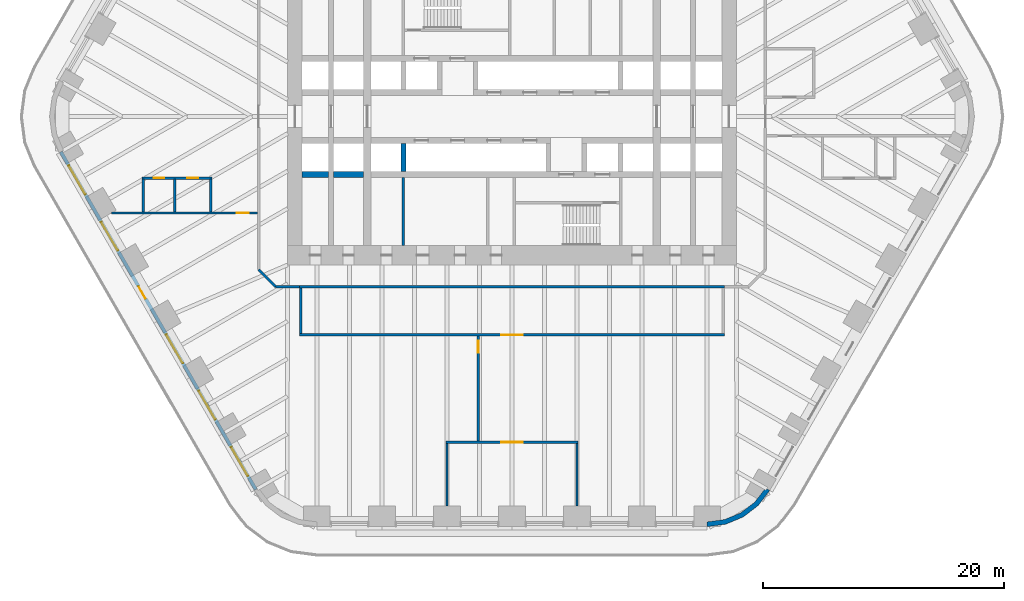
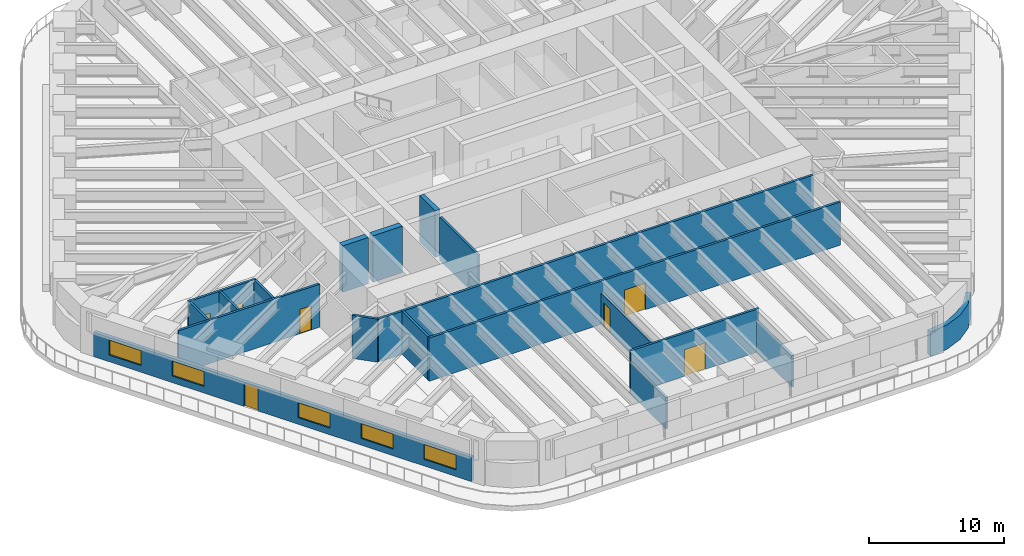
# One storey, part 9 of 16: 20 walls, 7 doors, 5 windows, 12 openings.
"""IFC4 building model written with IfcOpenShell, lengths in metres."""

from ifc_helpers import new_model, si_unit, direction, frame, frame_2d, origin, place, context, subcontext, project, spatial, polyline, rectangle, outline, extrude, material, layer, layer_set, type_object, element, fill, save


model = new_model("IFC4")

# Units and contexts
model_context = context("Model", 3, precision=1e-05, world=origin(), true_north=direction((0.0, 1.0)))
body_context = subcontext(model_context, "Body", "Model", "MODEL_VIEW")
ifc_project = project(units=[si_unit("LENGTHUNIT", "METRE"), si_unit("AREAUNIT", "SQUARE_METRE"), si_unit("VOLUMEUNIT", "CUBIC_METRE"), si_unit("PLANEANGLEUNIT", "RADIAN"), si_unit("MASSUNIT", "GRAM", prefix="KILO")], contexts=[model_context])

# Site, building, storey
site_placement = place(None, origin())
site = spatial("IfcSite", under=ifc_project, at=site_placement, CompositionType="ELEMENT")
building_placement = place(site_placement, origin())
building = spatial("IfcBuilding", under=site, at=building_placement, Name="Tarfa Lantern Tower", CompositionType="ELEMENT")
storey_placement = place(building_placement, frame((0.0, 0.0, 103.300048828125)))
storey = spatial("IfcBuildingStorey", under=building, at=storey_placement, Name="L23", CompositionType="ELEMENT", Elevation=103.300048828125)

# Wall, openings, door, windows
ifc_material_1 = material(Name="Limestone cladding on blockwork", Category="masonry")
ifc_layer_1 = layer(ifc_material_1, 0.300048828125)
ifc_layer_set_1 = layer_set([ifc_layer_1], Name="EW1 STONE-CLAD WALL 300")
wall_type_1 = type_object("IfcWallType", Name="EW1 STONE-CLAD WALL 300", PredefinedType="SOLIDWALL", material=ifc_layer_set_1)
wall_1_placement = place(storey_placement, frame((-37.39794921875, -2.925048828125, 0.0), z_axis=(0.0, 0.0, 1.0), x_axis=(0.499999163675, -0.866025886636, 0.0)))
wall_1 = element("IfcWall", 1, at=wall_1_placement, inside=storey, type_object=wall_type_1, Name="Stone wall SW", PredefinedType="SOLIDWALL", context=body_context, shape_type="SweptSolid", body=[
    extrude(rectangle(XDim=32.33154296875, YDim=0.300048828125, at=frame_2d((16.165771484375, 0.0))), origin(), (0.0, 0.0, 1.0), 2.199951171875),
])
opening_1_placement = place(wall_1_placement, frame((1.3193359375, 0.0, 0.60009765625)))
opening_1 = element("IfcOpeningElement", 2, at=opening_1_placement, cuts=wall_1, Name="Opening W3", PredefinedType="OPENING", context=body_context, shape_type="SweptSolid", body=[
    extrude(rectangle(XDim=2.75, YDim=1.35009765625, at=frame_2d((1.375, 0.675048828125))), frame((0.0, 0.159912109375, 0.0), z_axis=(0.0, -1.0, 0.0), x_axis=(1.0, 0.0, 0.0)), (0.0, 0.0, 1.0), 0.320068359375),
])
opening_2_placement = place(wall_1_placement, frame((6.7080078125, 0.0, 0.60009765625)))
opening_2 = element("IfcOpeningElement", 3, at=opening_2_placement, cuts=wall_1, Name="Opening W3", PredefinedType="OPENING", context=body_context, shape_type="SweptSolid", body=[
    extrude(rectangle(XDim=2.75, YDim=1.35009765625, at=frame_2d((1.375, 0.675048828125))), frame((0.0, 0.159912109375, 0.0), z_axis=(0.0, -1.0, 0.0), x_axis=(1.0, 0.0, 0.0)), (0.0, 0.0, 1.0), 0.320068359375),
])
opening_3_placement = place(wall_1_placement, frame((12.87158203125, 0.0, 0.0)))
opening_3 = element("IfcOpeningElement", 4, at=opening_3_placement, cuts=wall_1, Name="Opening D47", PredefinedType="OPENING", context=body_context, shape_type="SweptSolid", body=[
    extrude(rectangle(XDim=1.199951171875, YDim=2.10009765625, at=frame_2d((0.60009765625, 1.050048828125))), frame((0.0, 0.159912109375, 0.0), z_axis=(0.0, -1.0, 0.0), x_axis=(1.0, 0.0, 0.0)), (0.0, 0.0, 1.0), 0.320068359375),
])
opening_4_placement = place(wall_1_placement, frame((17.485107421875, 0.0, 0.60009765625)))
opening_4 = element("IfcOpeningElement", 5, at=opening_4_placement, cuts=wall_1, Name="Opening W3", PredefinedType="OPENING", context=body_context, shape_type="SweptSolid", body=[
    extrude(rectangle(XDim=2.75, YDim=1.35009765625, at=frame_2d((1.375, 0.675048828125))), frame((0.0, 0.159912109375, 0.0), z_axis=(0.0, -1.0, 0.0), x_axis=(1.0, 0.0, 0.0)), (0.0, 0.0, 1.0), 0.320068359375),
])
opening_5_placement = place(wall_1_placement, frame((22.873779296875, 0.0, 0.60009765625)))
opening_5 = element("IfcOpeningElement", 6, at=opening_5_placement, cuts=wall_1, Name="Opening W3", PredefinedType="OPENING", context=body_context, shape_type="SweptSolid", body=[
    extrude(rectangle(XDim=2.75, YDim=1.35009765625, at=frame_2d((1.375, 0.675048828125))), frame((0.0, 0.159912109375, 0.0), z_axis=(0.0, -1.0, 0.0), x_axis=(1.0, 0.0, 0.0)), (0.0, 0.0, 1.0), 0.320068359375),
])
opening_6_placement = place(wall_1_placement, frame((28.26220703125, 0.0, 0.60009765625)))
opening_6 = element("IfcOpeningElement", 7, at=opening_6_placement, cuts=wall_1, Name="Opening W3", PredefinedType="OPENING", context=body_context, shape_type="SweptSolid", body=[
    extrude(rectangle(XDim=2.75, YDim=1.35009765625, at=frame_2d((1.375, 0.675048828125))), frame((0.0, 0.159912109375, 0.0), z_axis=(0.0, -1.0, 0.0), x_axis=(1.0, 0.0, 0.0)), (0.0, 0.0, 1.0), 0.320068359375),
])
ifc_material_2 = material(Name="Aluminium framed glazed door", Category="aluminium")
door_type_1 = type_object("IfcDoorType", Name="BE4 BALCONY DOOR 1200x2100", OperationType="SINGLE_SWING_RIGHT", PredefinedType="DOOR", material=ifc_material_2)
door_1_placement = place(opening_3_placement, origin())
door_1 = element("IfcDoor", 8, at=door_1_placement, inside=storey, type_object=door_type_1, Name="Balcony door SW", OperationType="SINGLE_SWING_RIGHT", OverallHeight=2.10009765625, OverallWidth=1.199951171875, PredefinedType="DOOR", context=body_context, shape_type="SweptSolid", body=[
    extrude(rectangle(XDim=1.199951171875, YDim=2.10009765625, at=frame_2d((0.60009765625, 1.050048828125))), frame((0.0, 0.02490234375, 0.0), z_axis=(0.0, -1.0, 0.0), x_axis=(1.0, 0.0, 0.0)), (0.0, 0.0, 1.0), 0.050048828125),
])
fill(opening_3, door_1)
ifc_material_3 = material(Name="Aluminium frame, double glazed", Category="aluminium")
window_type = type_object("IfcWindowType", Name="W3 FULL-HEIGHT GLAZING 2750x1350", PartitioningType="SINGLE_PANEL", PredefinedType="WINDOW", material=ifc_material_3)
window_1_placement = place(opening_1_placement, origin())
window_1 = element("IfcWindow", 9, at=window_1_placement, inside=storey, type_object=window_type, Name="Window SW 1", OverallHeight=1.35009765625, OverallWidth=2.75, PartitioningType="SINGLE_PANEL", PredefinedType="WINDOW", context=body_context, shape_type="SweptSolid", body=[
    extrude(rectangle(XDim=2.75, YDim=1.35009765625, at=frame_2d((1.375, 0.675048828125))), frame((0.0, 0.030029296875, 0.0), z_axis=(0.0, -1.0, 0.0), x_axis=(1.0, 0.0, 0.0)), (0.0, 0.0, 1.0), 0.06005859375),
])
fill(opening_1, window_1)
window_2_placement = place(opening_2_placement, origin())
window_2 = element("IfcWindow", 10, at=window_2_placement, inside=storey, type_object=window_type, Name="Window SW 2", OverallHeight=1.35009765625, OverallWidth=2.75, PartitioningType="SINGLE_PANEL", PredefinedType="WINDOW", context=body_context, shape_type="SweptSolid", body=[
    extrude(rectangle(XDim=2.75, YDim=1.35009765625, at=frame_2d((1.375, 0.675048828125))), frame((0.0, 0.030029296875, 0.0), z_axis=(0.0, -1.0, 0.0), x_axis=(1.0, 0.0, 0.0)), (0.0, 0.0, 1.0), 0.06005859375),
])
fill(opening_2, window_2)
window_3_placement = place(opening_4_placement, origin())
window_3 = element("IfcWindow", 11, at=window_3_placement, inside=storey, type_object=window_type, Name="Window SW 4", OverallHeight=1.35009765625, OverallWidth=2.75, PartitioningType="SINGLE_PANEL", PredefinedType="WINDOW", context=body_context, shape_type="SweptSolid", body=[
    extrude(rectangle(XDim=2.75, YDim=1.35009765625, at=frame_2d((1.375, 0.675048828125))), frame((0.0, 0.030029296875, 0.0), z_axis=(0.0, -1.0, 0.0), x_axis=(1.0, 0.0, 0.0)), (0.0, 0.0, 1.0), 0.06005859375),
])
fill(opening_4, window_3)
window_4_placement = place(opening_5_placement, origin())
window_4 = element("IfcWindow", 12, at=window_4_placement, inside=storey, type_object=window_type, Name="Window SW 5", OverallHeight=1.35009765625, OverallWidth=2.75, PartitioningType="SINGLE_PANEL", PredefinedType="WINDOW", context=body_context, shape_type="SweptSolid", body=[
    extrude(rectangle(XDim=2.75, YDim=1.35009765625, at=frame_2d((1.375, 0.675048828125))), frame((0.0, 0.030029296875, 0.0), z_axis=(0.0, -1.0, 0.0), x_axis=(1.0, 0.0, 0.0)), (0.0, 0.0, 1.0), 0.06005859375),
])
fill(opening_5, window_4)
window_5_placement = place(opening_6_placement, origin())
window_5 = element("IfcWindow", 13, at=window_5_placement, inside=storey, type_object=window_type, Name="Window SW 6", OverallHeight=1.35009765625, OverallWidth=2.75, PartitioningType="SINGLE_PANEL", PredefinedType="WINDOW", context=body_context, shape_type="SweptSolid", body=[
    extrude(rectangle(XDim=2.75, YDim=1.35009765625, at=frame_2d((1.375, 0.675048828125))), frame((0.0, 0.030029296875, 0.0), z_axis=(0.0, -1.0, 0.0), x_axis=(1.0, 0.0, 0.0)), (0.0, 0.0, 1.0), 0.06005859375),
])
fill(opening_6, window_5)

# Walls
ifc_layer_2 = layer(ifc_material_1, 0.39990234375)
ifc_layer_set_2 = layer_set([ifc_layer_2], Name="EW2 CURVED STONE CORNER 400")
wall_type_2 = type_object("IfcWallType", Name="EW2 CURVED STONE CORNER 400", PredefinedType="SOLIDWALL", material=ifc_layer_set_2)
wall_2_placement = place(storey_placement, origin())
element("IfcWall", 14, at=wall_2_placement, inside=storey, type_object=wall_type_2, Name="Stone corner S-SE", PredefinedType="SOLIDWALL", context=body_context, shape_type="SweptSolid", body=[
    extrude(outline(polyline([(16.165771484375, -34.0), (17.71875, -33.795654296875), (19.165771484375, -33.196044921875), (20.408447265625, -32.24267578125), (21.362060546875, -31.0), (21.015625, -30.800048828125), (20.12548828125, -31.959716796875), (18.9658203125, -32.849853515625), (17.615234375, -33.4091796875), (16.165771484375, -33.60009765625), (16.165771484375, -34.0)])), origin(), (0.0, 0.0, 1.0), 2.199951171875),
])
ifc_material_4 = material(Name="Concrete blockwork", Category="masonry")
ifc_layer_3 = layer(ifc_material_4, 0.199951171875)
ifc_layer_set_3 = layer_set([ifc_layer_3], Name="IW1 BLOCKWORK PARTITION 200 EI 120")
wall_type_3 = type_object("IfcWallType", Name="IW1 BLOCKWORK PARTITION 200 EI 120", PredefinedType="PARTITIONING", material=ifc_layer_set_3)
wall_3_placement = place(storey_placement, frame((-9.0, -5.050048828125, 0.0), z_axis=(0.0, 0.0, 1.0), x_axis=(0.0, -1.0, 0.0)))
element("IfcWall", 15, at=wall_3_placement, inside=storey, type_object=wall_type_3, Name="Core partition", PredefinedType="PARTITIONING", context=body_context, shape_type="SweptSolid", body=[
    extrude(rectangle(XDim=5.64990234375, YDim=0.199951171875, at=frame_2d((2.824951171875, 0.0))), origin(), (0.0, 0.0, 1.0), 3.89990234375),
])
ifc_material_5 = material(Name="Gypsum board on steel studs", Category="steel")
ifc_layer_4 = layer(ifc_material_5, 0.2099609375)
ifc_layer_set_4 = layer_set([ifc_layer_4], Name="IW2 ACOUSTIC PARTITION 200")
wall_type_4 = type_object("IfcWallType", Name="IW2 ACOUSTIC PARTITION 200", PredefinedType="PARTITIONING", material=ifc_layer_set_4)
wall_4_placement = place(storey_placement, frame((17.60009765625, -14.10009765625, 0.0), z_axis=(0.0, 0.0, 1.0), x_axis=(-1.0, 0.0, 0.0)))
element("IfcWall", 16, at=wall_4_placement, inside=storey, type_object=wall_type_4, Name="Partition", PredefinedType="PARTITIONING", context=body_context, shape_type="SweptSolid", body=[
    extrude(rectangle(XDim=35.2001953125, YDim=0.199951171875, at=frame_2d((17.60009765625, 0.0))), origin(), (0.0, 0.0, 1.0), 3.89990234375),
])

# Wall, opening, door
wall_5_placement = place(storey_placement, frame((17.60009765625, -18.10009765625, 0.0), z_axis=(0.0, 0.0, 1.0), x_axis=(-1.0, 0.0, 0.0)))
wall_5 = element("IfcWall", 17, at=wall_5_placement, inside=storey, type_object=wall_type_4, Name="Partition", PredefinedType="PARTITIONING", context=body_context, shape_type="SweptSolid", body=[
    extrude(rectangle(XDim=35.2001953125, YDim=0.199951171875, at=frame_2d((17.60009765625, 0.0))), origin(), (0.0, 0.0, 1.0), 3.89990234375),
])
opening_7_placement = place(wall_5_placement, frame((16.699951171875, 0.0, 0.0)))
opening_7 = element("IfcOpeningElement", 18, at=opening_7_placement, cuts=wall_5, Name="Opening D34", PredefinedType="OPENING", context=body_context, shape_type="SweptSolid", body=[
    extrude(rectangle(XDim=1.800048828125, YDim=2.39990234375, at=frame_2d((0.89990234375, 1.199951171875))), frame((0.0, 0.10986328125, 0.0), z_axis=(0.0, -1.0, 0.0), x_axis=(1.0, 0.0, 0.0)), (0.0, 0.0, 1.0), 0.219970703125),
])
ifc_material_6 = material(Name="Timber door", Category="wood")
door_type_2 = type_object("IfcDoorType", Name="DR2 ROOM DOOR 1800x2400", OperationType="DOUBLE_DOOR_SINGLE_SWING", PredefinedType="DOOR", material=ifc_material_6)
door_2_placement = place(opening_7_placement, frame((1.800048828125, 0.0, 0.0), z_axis=(0.0, 0.0, 1.0), x_axis=(-1.0, 0.0, 0.0)))
door_2 = element("IfcDoor", 19, at=door_2_placement, inside=storey, type_object=door_type_2, Name="Pantry door", OperationType="DOUBLE_DOOR_SINGLE_SWING", OverallHeight=2.39990234375, OverallWidth=1.800048828125, PredefinedType="DOOR", context=body_context, shape_type="SweptSolid", body=[
    extrude(rectangle(XDim=1.800048828125, YDim=2.39990234375, at=frame_2d((0.89990234375, 1.199951171875))), frame((0.0, 0.02490234375, 0.0), z_axis=(0.0, -1.0, 0.0), x_axis=(1.0, 0.0, 0.0)), (0.0, 0.0, 1.0), 0.050048828125),
])
fill(opening_7, door_2)

# Wall
wall_6_placement = place(storey_placement, frame((-17.5, -14.199951171875, 0.0), z_axis=(0.0, 0.0, 1.0), x_axis=(0.0, -1.0, 0.0)))
element("IfcWall", 20, at=wall_6_placement, inside=storey, type_object=wall_type_4, Name="Partition", PredefinedType="PARTITIONING", context=body_context, shape_type="SweptSolid", body=[
    extrude(rectangle(XDim=3.800048828125, YDim=0.199951171875, at=frame_2d((1.89990234375, 0.0))), origin(), (0.0, 0.0, 1.0), 3.89990234375),
])

# Wall, opening, door
wall_7_placement = place(storey_placement, frame((-5.488525390625, -27.0, 0.0), z_axis=(0.0, 0.0, 1.0), x_axis=(1.0, 0.0, 0.0)))
wall_7 = element("IfcWall", 21, at=wall_7_placement, inside=storey, type_object=wall_type_4, Name="Partition", PredefinedType="PARTITIONING", context=body_context, shape_type="SweptSolid", body=[
    extrude(rectangle(XDim=10.97705078125, YDim=0.199951171875, at=frame_2d((5.488525390625, 0.0))), origin(), (0.0, 0.0, 1.0), 3.89990234375),
])
opening_8_placement = place(wall_7_placement, frame((4.588623046875, 0.0, 0.0)))
opening_8 = element("IfcOpeningElement", 22, at=opening_8_placement, cuts=wall_7, Name="Opening D30", PredefinedType="OPENING", context=body_context, shape_type="SweptSolid", body=[
    extrude(rectangle(XDim=1.800048828125, YDim=2.39990234375, at=frame_2d((0.89990234375, 1.199951171875))), frame((0.0, 0.10986328125, 0.0), z_axis=(0.0, -1.0, 0.0), x_axis=(1.0, 0.0, 0.0)), (0.0, 0.0, 1.0), 0.219970703125),
])
door_3_placement = place(opening_8_placement, frame((1.800048828125, 0.0, 0.0), z_axis=(0.0, 0.0, 1.0), x_axis=(-1.0, 0.0, 0.0)))
door_3 = element("IfcDoor", 23, at=door_3_placement, inside=storey, type_object=door_type_2, Name="Press briefing room door", OperationType="DOUBLE_DOOR_SINGLE_SWING", OverallHeight=2.39990234375, OverallWidth=1.800048828125, PredefinedType="DOOR", context=body_context, shape_type="SweptSolid", body=[
    extrude(rectangle(XDim=1.800048828125, YDim=2.39990234375, at=frame_2d((0.89990234375, 1.199951171875))), frame((0.0, 0.02490234375, 0.0), z_axis=(0.0, -1.0, 0.0), x_axis=(1.0, 0.0, 0.0)), (0.0, 0.0, 1.0), 0.050048828125),
])
fill(opening_8, door_3)

# Walls
for number, where, z_axis, x_axis, name in (
    (24, (-5.388671875, -27.10009765625, 0.0), (0.0, 0.0, 1.0), (0.0, -1.0, 0.0), "Partition"),
    (25, (5.388671875, -27.10009765625, 0.0), (0.0, 0.0, 1.0), (0.0, -1.0, 0.0), "Partition"),
):
    element("IfcWall", number, at=place(storey_placement, frame(where, z_axis=z_axis, x_axis=x_axis)), inside=storey, type_object=wall_type_4, Name=name, PredefinedType="PARTITIONING", context=body_context, shape_type="SweptSolid", body=[
        extrude(rectangle(XDim=5.199951171875, YDim=0.199951171875, at=frame_2d((2.60009765625, 0.0))), origin(), (0.0, 0.0, 1.0), 2.843994140625),
    ])
wall_8_placement = place(storey_placement, frame((-17.60009765625, -14.10009765625, 0.0), z_axis=(0.0, 0.0, 1.0), x_axis=(-1.0, 0.0, 0.0)))
element("IfcWall", 26, at=wall_8_placement, inside=storey, type_object=wall_type_4, Name="Partition", PredefinedType="PARTITIONING", context=body_context, shape_type="SweptSolid", body=[
    extrude(rectangle(XDim=2.0, YDim=0.199951171875, at=frame_2d((1.0, 0.0))), origin(), (0.0, 0.0, 1.0), 3.89990234375),
])
wall_9_placement = place(storey_placement, frame((-19.60009765625, -14.10009765625, 0.0), z_axis=(0.0, 0.0, 1.0), x_axis=(-0.707045124756, 0.707168432242, 0.0)))
element("IfcWall", 27, at=wall_9_placement, inside=storey, type_object=wall_type_4, Name="Partition", PredefinedType="PARTITIONING", context=body_context, shape_type="SweptSolid", body=[
    extrude(rectangle(XDim=1.97998046875, YDim=0.199951171875, at=frame_2d((0.989990234375, 0.0))), origin(), (0.0, 0.0, 1.0), 3.89990234375),
])

# Wall, opening, door
wall_10_placement = place(storey_placement, frame((-2.800048828125, -18.199951171875, 0.0), z_axis=(0.0, 0.0, 1.0), x_axis=(0.0, -1.0, 0.0)))
wall_10 = element("IfcWall", 28, at=wall_10_placement, inside=storey, type_object=wall_type_4, Name="Partition", PredefinedType="PARTITIONING", context=body_context, shape_type="SweptSolid", body=[
    extrude(rectangle(XDim=8.699951171875, YDim=0.199951171875, at=frame_2d((4.35009765625, 0.0))), origin(), (0.0, 0.0, 1.0), 2.843994140625),
])
opening_9_placement = place(wall_10_placement, frame((0.3701171875, 0.0, 0.0)))
opening_9 = element("IfcOpeningElement", 29, at=opening_9_placement, cuts=wall_10, Name="Opening D43", PredefinedType="OPENING", context=body_context, shape_type="SweptSolid", body=[
    extrude(rectangle(XDim=1.0, YDim=2.199951171875, at=frame_2d((0.5, 1.10009765625))), frame((0.0, 0.10986328125, 0.0), z_axis=(0.0, -1.0, 0.0), x_axis=(1.0, 0.0, 0.0)), (0.0, 0.0, 1.0), 0.219970703125),
])
door_type_3 = type_object("IfcDoorType", Name="DR1 ROOM DOOR 1000x2200", OperationType="SINGLE_SWING_LEFT", PredefinedType="DOOR", material=ifc_material_6)
door_4_placement = place(opening_9_placement, frame((1.0, 0.0, 0.0), z_axis=(0.0, 0.0, 1.0), x_axis=(-1.0, 0.0, 0.0)))
door_4 = element("IfcDoor", 30, at=door_4_placement, inside=storey, type_object=door_type_3, Name="Zone door", OperationType="SINGLE_SWING_LEFT", OverallHeight=2.199951171875, OverallWidth=1.0, PredefinedType="DOOR", context=body_context, shape_type="SweptSolid", body=[
    extrude(rectangle(XDim=1.0, YDim=2.199951171875, at=frame_2d((0.5, 1.10009765625))), frame((0.0, 0.02490234375, 0.0), z_axis=(0.0, -1.0, 0.0), x_axis=(1.0, 0.0, 0.0)), (0.0, 0.0, 1.0), 0.050048828125),
])
fill(opening_9, door_4)

wall_11_placement = place(storey_placement, frame((-21.10009765625, -8.0, 0.0), z_axis=(0.0, 0.0, 1.0), x_axis=(-1.0, 0.0, 0.0)))
wall_11 = element("IfcWall", 31, at=wall_11_placement, inside=storey, type_object=wall_type_4, Name="Partition", PredefinedType="PARTITIONING", context=body_context, shape_type="SweptSolid", body=[
    extrude(rectangle(XDim=12.11083984375, YDim=0.199951171875, at=frame_2d((6.055419921875, 0.0))), origin(), (0.0, 0.0, 1.0), 3.89990234375),
])
opening_10_placement = place(wall_11_placement, frame((0.711181640625, 0.0, 0.0)))
opening_10 = element("IfcOpeningElement", 32, at=opening_10_placement, cuts=wall_11, Name="Opening D44", PredefinedType="OPENING", context=body_context, shape_type="SweptSolid", body=[
    extrude(rectangle(XDim=1.0, YDim=2.199951171875, at=frame_2d((0.5, 1.10009765625))), frame((0.0, 0.10986328125, 0.0), z_axis=(0.0, -1.0, 0.0), x_axis=(1.0, 0.0, 0.0)), (0.0, 0.0, 1.0), 0.219970703125),
])
door_5_placement = place(opening_10_placement, origin())
door_5 = element("IfcDoor", 33, at=door_5_placement, inside=storey, type_object=door_type_3, Name="Zone door", OperationType="SINGLE_SWING_RIGHT", OverallHeight=2.199951171875, OverallWidth=1.0, PredefinedType="DOOR", context=body_context, shape_type="SweptSolid", body=[
    extrude(rectangle(XDim=1.0, YDim=2.199951171875, at=frame_2d((0.5, 1.10009765625))), frame((0.0, 0.02490234375, 0.0), z_axis=(0.0, -1.0, 0.0), x_axis=(1.0, 0.0, 0.0)), (0.0, 0.0, 1.0), 0.050048828125),
])
fill(opening_10, door_5)

# Wall, openings, doors
wall_12_placement = place(storey_placement, frame((-24.86083984375, -5.10009765625, 0.0), z_axis=(0.0, 0.0, 1.0), x_axis=(-1.0, 0.0, 0.0)))
wall_12 = element("IfcWall", 34, at=wall_12_placement, inside=storey, type_object=wall_type_4, Name="Partition", PredefinedType="PARTITIONING", context=body_context, shape_type="SweptSolid", body=[
    extrude(rectangle(XDim=5.800048828125, YDim=0.199951171875, at=frame_2d((2.89990234375, 0.0))), origin(), (0.0, 0.0, 1.0), 3.89990234375),
])
opening_11_placement = place(wall_12_placement, frame((1.14990234375, 0.0, 0.0)))
opening_11 = element("IfcOpeningElement", 35, at=opening_11_placement, cuts=wall_12, Name="Opening D37", PredefinedType="OPENING", context=body_context, shape_type="SweptSolid", body=[
    extrude(rectangle(XDim=0.89990234375, YDim=2.199951171875, at=frame_2d((0.449951171875, 1.10009765625))), frame((0.0, 0.10986328125, 0.0), z_axis=(0.0, -1.0, 0.0), x_axis=(1.0, 0.0, 0.0)), (0.0, 0.0, 1.0), 0.219970703125),
])
opening_12_placement = place(wall_12_placement, frame((3.949951171875, 0.0, 0.0)))
opening_12 = element("IfcOpeningElement", 36, at=opening_12_placement, cuts=wall_12, Name="Opening D38", PredefinedType="OPENING", context=body_context, shape_type="SweptSolid", body=[
    extrude(rectangle(XDim=0.89990234375, YDim=2.199951171875, at=frame_2d((0.449951171875, 1.10009765625))), frame((0.0, 0.10986328125, 0.0), z_axis=(0.0, -1.0, 0.0), x_axis=(1.0, 0.0, 0.0)), (0.0, 0.0, 1.0), 0.219970703125),
])
door_type_4 = type_object("IfcDoorType", Name="DR3 ROOM DOOR 900x2200", OperationType="SINGLE_SWING_LEFT", PredefinedType="DOOR", material=ifc_material_6)
door_6_placement = place(opening_11_placement, origin())
door_6 = element("IfcDoor", 37, at=door_6_placement, inside=storey, type_object=door_type_4, Name="Wellness room door", OperationType="SINGLE_SWING_RIGHT", OverallHeight=2.199951171875, OverallWidth=0.89990234375, PredefinedType="DOOR", context=body_context, shape_type="SweptSolid", body=[
    extrude(rectangle(XDim=0.89990234375, YDim=2.199951171875, at=frame_2d((0.449951171875, 1.10009765625))), frame((0.0, 0.02490234375, 0.0), z_axis=(0.0, -1.0, 0.0), x_axis=(1.0, 0.0, 0.0)), (0.0, 0.0, 1.0), 0.050048828125),
])
fill(opening_11, door_6)
door_7_placement = place(opening_12_placement, origin())
door_7 = element("IfcDoor", 38, at=door_7_placement, inside=storey, type_object=door_type_4, Name="Quiet room door", OperationType="SINGLE_SWING_LEFT", OverallHeight=2.199951171875, OverallWidth=0.89990234375, PredefinedType="DOOR", context=body_context, shape_type="SweptSolid", body=[
    extrude(rectangle(XDim=0.89990234375, YDim=2.199951171875, at=frame_2d((0.449951171875, 1.10009765625))), frame((0.0, 0.02490234375, 0.0), z_axis=(0.0, -1.0, 0.0), x_axis=(1.0, 0.0, 0.0)), (0.0, 0.0, 1.0), 0.050048828125),
])
fill(opening_12, door_7)

# Walls
for number, where, z_axis, x_axis, name in (
    (39, (-24.9609375, -7.89990234375, 0.0), (0.0, 0.0, 1.0), (0.0, 1.0, 0.0), "Partition"),
    (40, (-27.9609375, -7.89990234375, 0.0), (0.0, 0.0, 1.0), (0.0, 1.0, 0.0), "Partition"),
    (41, (-30.56103515625, -7.89990234375, 0.0), (0.0, 0.0, 1.0), (0.0, 1.0, 0.0), "Partition"),
):
    element("IfcWall", number, at=place(storey_placement, frame(where, z_axis=z_axis, x_axis=x_axis)), inside=storey, type_object=wall_type_4, Name=name, PredefinedType="PARTITIONING", context=body_context, shape_type="SweptSolid", body=[
        extrude(rectangle(XDim=2.699951171875, YDim=0.199951171875, at=frame_2d((1.35009765625, 0.0))), origin(), (0.0, 0.0, 1.0), 3.89990234375),
    ])
ifc_material_7 = material(Name="Concrete C80/95", Category="concrete")
ifc_layer_5 = layer(ifc_material_7, 0.5)
ifc_layer_set_5 = layer_set([ifc_layer_5], Name="SW5 CORE WALL 500")
wall_type_5 = type_object("IfcWallType", Name="SW5 CORE WALL 500", PredefinedType="SHEAR", material=ifc_layer_set_5)
wall_13_placement = place(storey_placement, frame((-12.300048828125, -4.800048828125, 0.0), z_axis=(0.0, 0.0, 1.0), x_axis=(-1.0, 0.0, 0.0)))
element("IfcWall", 42, at=wall_13_placement, inside=storey, type_object=wall_type_5, Name="Core wall rear S", PredefinedType="SHEAR", context=body_context, shape_type="SweptSolid", body=[
    extrude(rectangle(XDim=2.5, YDim=0.5, at=frame_2d((1.25, 0.0))), origin(), (0.0, 0.0, 1.0), 4.199951171875),
])
wall_14_placement = place(storey_placement, frame((-15.199951171875, -4.800048828125, 0.0), z_axis=(0.0, 0.0, 1.0), x_axis=(-1.0, 0.0, 0.0)))
element("IfcWall", 43, at=wall_14_placement, inside=storey, type_object=wall_type_5, Name="Core wall rear S", PredefinedType="SHEAR", context=body_context, shape_type="SweptSolid", body=[
    extrude(rectangle(XDim=2.199951171875, YDim=0.5, at=frame_2d((1.10009765625, 0.0))), origin(), (0.0, 0.0, 1.0), 4.199951171875),
])
ifc_layer_6 = layer(ifc_material_7, 0.39990234375)
ifc_layer_set_6 = layer_set([ifc_layer_6], Name="SW6 CORE WALL 400")
wall_type_6 = type_object("IfcWallType", Name="SW6 CORE WALL 400", PredefinedType="SHEAR", material=ifc_layer_set_6)
wall_15_placement = place(storey_placement, frame((-9.0, -2.25, 0.0), z_axis=(0.0, 0.0, 1.0), x_axis=(0.0, -1.0, 0.0)))
element("IfcWall", 44, at=wall_15_placement, inside=storey, type_object=wall_type_6, Name="Core wall divider S", PredefinedType="SHEAR", context=body_context, shape_type="SweptSolid", body=[
    extrude(rectangle(XDim=2.300048828125, YDim=0.39990234375, at=frame_2d((1.14990234375, 0.0))), origin(), (0.0, 0.0, 1.0), 4.199951171875),
])

save(model, "model.ifc")
